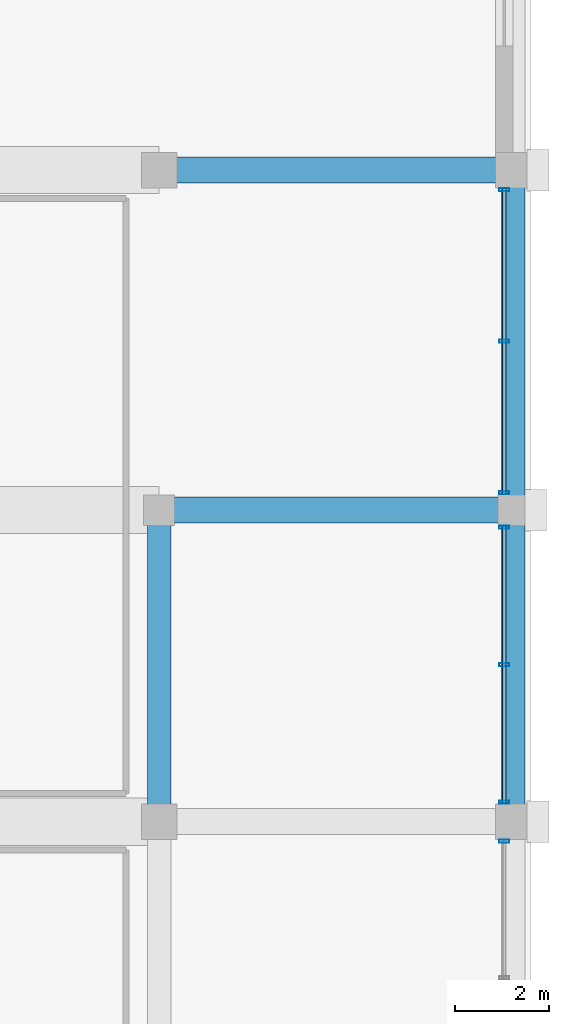
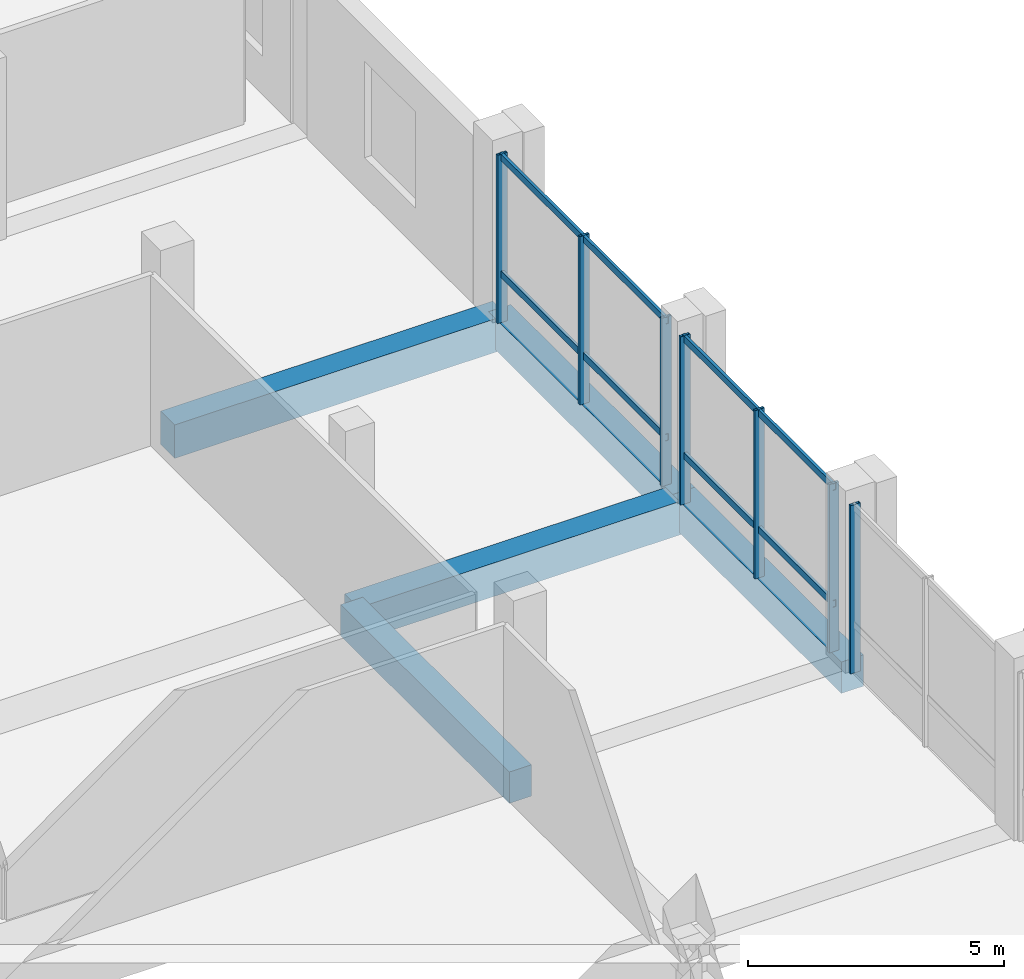
# One storey, part 35 of 64: 11 members, 5 beams, 3 elements without a shape of their own.
"""IFC4 building model written with IfcOpenShell, lengths in metres."""

from ifc_helpers import new_model, si_unit, direction, frame, origin, origin_2d, place, context, subcontext, project, spatial, rectangle, hollow_rectangle, extrude, material, material_profile, profile_set, type_object, element, aggregate, save


model = new_model("IFC4")

# Units and contexts
model_context = context("Model", 3, precision=1e-05, world=origin(), true_north=direction((0.0, 1.0)))
body_context = subcontext(model_context, "Body", "Model", "MODEL_VIEW")
ifc_project = project(units=[si_unit("LENGTHUNIT", "METRE"), si_unit("AREAUNIT", "SQUARE_METRE"), si_unit("VOLUMEUNIT", "CUBIC_METRE"), si_unit("PLANEANGLEUNIT", "RADIAN"), si_unit("MASSUNIT", "GRAM", prefix="KILO")], contexts=[model_context])

# Site, building, storey
site_placement = place(None, origin())
site = spatial("IfcSite", under=ifc_project, at=site_placement, CompositionType="ELEMENT")
building_placement = place(site_placement, origin())
building = spatial("IfcBuilding", under=site, at=building_placement, Name="Akrevak Sports Hall", CompositionType="ELEMENT")
storey_placement = place(building_placement, frame((0.0, 0.0, 4.60009765625)))
storey = spatial("IfcBuildingStorey", under=building, at=storey_placement, Name="L01", CompositionType="ELEMENT", Elevation=4.60009765625)

# Curtain wall, member
ifc_material_1 = material(Name="Anodized Bronze Aluminium & Low-E Glass", Category="aluminium")
curtain_wall_type = type_object("IfcCurtainWallType", Name="ARC-CW-POD-64x44", PredefinedType="NOTDEFINED", material=ifc_material_1)
curtain_wall_1_placement = place(storey_placement, origin())
curtain_wall_1 = element("IfcCurtainWall", 1, at=curtain_wall_1_placement, inside=storey, type_object=curtain_wall_type, Name="Curtain Wall CW-L01-E07", PredefinedType="NOTDEFINED")
ifc_material_2 = material(Name="Anodized Bronze Aluminium", Category="aluminium")
ifc_material_profile_1 = material_profile(ifc_material_2, hollow_rectangle(XDim=0.06494140625, YDim=0.219970703125, WallThickness=0.00439453125, at=origin_2d()), Name="CWM 65x220", Category="aluminium")
ifc_profile_set_1 = profile_set([ifc_material_profile_1], Name="Anodized Bronze Aluminium")
member_type_1 = type_object("IfcMemberType", Name="ARC-CWM-70x160", PredefinedType="MULLION", material=ifc_profile_set_1)
member_1_placement = place(storey_placement, frame((167.81005859375, 48.18505859375, 0.0), z_axis=(0.0, 0.0, 1.0), x_axis=(0.0, 1.0, 0.0)))
member_1 = element("IfcMember", 2, at=member_1_placement, type_object=member_type_1, Name="Curtain Wall Mullion CW-L01-E07-M3", PredefinedType="MULLION", context=body_context, shape_type="SweptSolid", body=[
    extrude(hollow_rectangle(XDim=0.06494140625, YDim=0.219970703125, WallThickness=0.00439453125, at=origin_2d()), origin(), (0.0, 0.0, 1.0), 4.02001953125),
])
aggregate(curtain_wall_1, [member_1])

# Curtain wall, members
curtain_wall_2_placement = place(storey_placement, origin())
curtain_wall_2 = element("IfcCurtainWall", 3, at=curtain_wall_2_placement, inside=storey, type_object=curtain_wall_type, Name="Curtain Wall CW-L01-E08", PredefinedType="NOTDEFINED")
member_2_placement = place(storey_placement, frame((167.81005859375, 49.014892578125, 0.0), z_axis=(0.0, 0.0, 1.0), x_axis=(0.0, 1.0, 0.0)))
member_2 = element("IfcMember", 4, at=member_2_placement, type_object=member_type_1, Name="Curtain Wall Mullion CW-L01-E08-M1", PredefinedType="MULLION", context=body_context, shape_type="SweptSolid", body=[
    extrude(hollow_rectangle(XDim=0.06494140625, YDim=0.219970703125, WallThickness=0.00439453125, at=origin_2d()), origin(), (0.0, 0.0, 1.0), 4.02001953125),
])
member_3_placement = place(storey_placement, frame((167.81005859375, 51.925048828125, 0.0), z_axis=(0.0, 0.0, 1.0), x_axis=(0.0, 1.0, 0.0)))
member_3 = element("IfcMember", 5, at=member_3_placement, type_object=member_type_1, Name="Curtain Wall Mullion CW-L01-E08-M2", PredefinedType="MULLION", context=body_context, shape_type="SweptSolid", body=[
    extrude(hollow_rectangle(XDim=0.06494140625, YDim=0.219970703125, WallThickness=0.00439453125, at=origin_2d()), origin(), (0.0, 0.0, 1.0), 4.02001953125),
])
member_4_placement = place(storey_placement, frame((167.81005859375, 54.8349609375, 0.0), z_axis=(0.0, 0.0, 1.0), x_axis=(0.0, 1.0, 0.0)))
member_4 = element("IfcMember", 6, at=member_4_placement, type_object=member_type_1, Name="Curtain Wall Mullion CW-L01-E08-M3", PredefinedType="MULLION", context=body_context, shape_type="SweptSolid", body=[
    extrude(hollow_rectangle(XDim=0.06494140625, YDim=0.219970703125, WallThickness=0.00439453125, at=origin_2d()), origin(), (0.0, 0.0, 1.0), 4.02001953125),
])

curtain_wall_3_placement = place(storey_placement, origin())
curtain_wall_3 = element("IfcCurtainWall", 7, at=curtain_wall_3_placement, inside=storey, type_object=curtain_wall_type, Name="Curtain Wall CW-L01-E09", PredefinedType="NOTDEFINED")
member_5_placement = place(storey_placement, frame((167.81005859375, 55.56494140625, 0.0), z_axis=(0.0, 0.0, 1.0), x_axis=(0.0, 1.0, 0.0)))
member_5 = element("IfcMember", 8, at=member_5_placement, type_object=member_type_1, Name="Curtain Wall Mullion CW-L01-E09-M1", PredefinedType="MULLION", context=body_context, shape_type="SweptSolid", body=[
    extrude(hollow_rectangle(XDim=0.06494140625, YDim=0.219970703125, WallThickness=0.00439453125, at=origin_2d()), origin(), (0.0, 0.0, 1.0), 4.02001953125),
])
member_6_placement = place(storey_placement, frame((167.81005859375, 58.77490234375, 0.0), z_axis=(0.0, 0.0, 1.0), x_axis=(0.0, 1.0, 0.0)))
member_6 = element("IfcMember", 9, at=member_6_placement, type_object=member_type_1, Name="Curtain Wall Mullion CW-L01-E09-M2", PredefinedType="MULLION", context=body_context, shape_type="SweptSolid", body=[
    extrude(hollow_rectangle(XDim=0.06494140625, YDim=0.219970703125, WallThickness=0.00439453125, at=origin_2d()), origin(), (0.0, 0.0, 1.0), 4.02001953125),
])
member_7_placement = place(storey_placement, frame((167.81005859375, 61.985107421875, 0.0), z_axis=(0.0, 0.0, 1.0), x_axis=(0.0, 1.0, 0.0)))
member_7 = element("IfcMember", 10, at=member_7_placement, type_object=member_type_1, Name="Curtain Wall Mullion CW-L01-E09-M3", PredefinedType="MULLION", context=body_context, shape_type="SweptSolid", body=[
    extrude(hollow_rectangle(XDim=0.06494140625, YDim=0.219970703125, WallThickness=0.00439453125, at=origin_2d()), origin(), (0.0, 0.0, 1.0), 4.02001953125),
])

# Member
ifc_material_profile_2 = material_profile(ifc_material_2, hollow_rectangle(XDim=0.06494140625, YDim=0.159912109375, WallThickness=0.00390625, at=origin_2d()), Name="CWT 65x160", Category="aluminium")
ifc_profile_set_2 = profile_set([ifc_material_profile_2], Name="Anodized Bronze Aluminium")
member_type_2 = type_object("IfcMemberType", Name="ARC-CWT-70x130", PredefinedType="USERDEFINED", material=ifc_profile_set_2)
member_8_placement = place(storey_placement, frame((167.81005859375, 48.97509765625, 1.14990234375), z_axis=(0.0, 1.0, 0.0), x_axis=(-1.0, 0.0, 0.0)))
member_8 = element("IfcMember", 11, at=member_8_placement, type_object=member_type_2, Name="Curtain Wall Transom CW-L01-E08-T1", ObjectType="TRANSOM", PredefinedType="USERDEFINED", context=body_context, shape_type="SweptSolid", body=[
    extrude(hollow_rectangle(XDim=0.06494140625, YDim=0.159912109375, WallThickness=0.00390625, at=origin_2d()), origin(), (0.0, 0.0, 1.0), 5.89990234375),
])

member_9_placement = place(storey_placement, frame((167.81005859375, 48.97509765625, 3.93994140625), z_axis=(0.0, 1.0, 0.0), x_axis=(-1.0, 0.0, 0.0)))
member_9 = element("IfcMember", 12, at=member_9_placement, type_object=member_type_2, Name="Curtain Wall Transom CW-L01-E08-T2", ObjectType="TRANSOM", PredefinedType="USERDEFINED", context=body_context, shape_type="SweptSolid", body=[
    extrude(hollow_rectangle(XDim=0.06494140625, YDim=0.159912109375, WallThickness=0.00390625, at=origin_2d()), origin(), (0.0, 0.0, 1.0), 5.89990234375),
])

aggregate(curtain_wall_2, [member_2, member_3, member_4, member_8, member_9])

member_10_placement = place(storey_placement, frame((167.81005859375, 55.52490234375, 1.14990234375), z_axis=(0.0, 1.0, 0.0), x_axis=(-1.0, 0.0, 0.0)))
member_10 = element("IfcMember", 13, at=member_10_placement, type_object=member_type_2, Name="Curtain Wall Transom CW-L01-E09-T1", ObjectType="TRANSOM", PredefinedType="USERDEFINED", context=body_context, shape_type="SweptSolid", body=[
    extrude(hollow_rectangle(XDim=0.06494140625, YDim=0.159912109375, WallThickness=0.00390625, at=origin_2d()), origin(), (0.0, 0.0, 1.0), 6.5),
])

member_11_placement = place(storey_placement, frame((167.81005859375, 55.52490234375, 3.93994140625), z_axis=(0.0, 1.0, 0.0), x_axis=(-1.0, 0.0, 0.0)))
member_11 = element("IfcMember", 14, at=member_11_placement, type_object=member_type_2, Name="Curtain Wall Transom CW-L01-E09-T2", ObjectType="TRANSOM", PredefinedType="USERDEFINED", context=body_context, shape_type="SweptSolid", body=[
    extrude(hollow_rectangle(XDim=0.06494140625, YDim=0.159912109375, WallThickness=0.00390625, at=origin_2d()), origin(), (0.0, 0.0, 1.0), 6.5),
])

aggregate(curtain_wall_3, [member_5, member_6, member_7, member_10, member_11])

# Beams
ifc_material_3 = material(Name="Concrete C40/50", Category="concrete")
ifc_material_profile_3 = material_profile(ifc_material_3, rectangle(XDim=0.5, YDim=0.75, at=origin_2d()), Name="BM 500x750", Category="concrete")
ifc_profile_set_3 = profile_set([ifc_material_profile_3], Name="Concrete C40/50")
beam_type_1 = type_object("IfcBeamType", Name="STR-BM-RC500x750", PredefinedType="BEAM", material=ifc_profile_set_3)
for number, where, z_axis, x_axis, name in (
    (15, (160.5, 48.60009765625, -0.375), (0.0, 1.0, 0.0), (-1.0, 0.0, 0.0), "Girder 22/H-I (L01)"),
    (16, (168.0, 48.60009765625, -0.375), (0.0, 1.0, 0.0), (-1.0, 0.0, 0.0), "Girder 23/H-I (L01)"),
):
    element("IfcBeam", number, at=place(storey_placement, frame(where, z_axis=z_axis, x_axis=x_axis)), inside=storey, type_object=beam_type_1, Name=name, PredefinedType="BEAM", context=body_context, shape_type="SweptSolid", body=[
        extrude(rectangle(XDim=0.5, YDim=0.75, at=origin_2d()), origin(), (0.0, 0.0, 1.0), 6.599853515625),
    ])
beam_placement = place(storey_placement, frame((168.0, 55.199951171875, -0.375), z_axis=(0.0, 1.0, 0.0), x_axis=(-1.0, 0.0, 0.0)))
element("IfcBeam", 17, at=beam_placement, inside=storey, type_object=beam_type_1, Name="Girder 23/I-J (L01)", PredefinedType="BEAM", context=body_context, shape_type="SweptSolid", body=[
    extrude(rectangle(XDim=0.5, YDim=0.75, at=origin_2d()), origin(), (0.0, 0.0, 1.0), 7.199951171875),
])
ifc_material_profile_4 = material_profile(ifc_material_3, rectangle(XDim=0.550048828125, YDim=0.800048828125, at=origin_2d()), Name="BM 550x800", Category="concrete")
ifc_profile_set_4 = profile_set([ifc_material_profile_4], Name="Concrete C40/50")
beam_type_2 = type_object("IfcBeamType", Name="STR-BM-RC550x800", PredefinedType="BEAM", material=ifc_profile_set_4)
for number, where, z_axis, x_axis, name in (
    (18, (160.5, 55.199951171875, -0.400146484375), (1.0, 0.0, 0.0), (0.0, 1.0, 0.0), "Girder I/22-23 (L01)"),
    (19, (160.5, 62.39990234375, -0.400146484375), (1.0, 0.0, 0.0), (0.0, 1.0, 0.0), "Girder J/22-23 (L01)"),
):
    element("IfcBeam", number, at=place(storey_placement, frame(where, z_axis=z_axis, x_axis=x_axis)), inside=storey, type_object=beam_type_2, Name=name, PredefinedType="BEAM", context=body_context, shape_type="SweptSolid", body=[
        extrude(rectangle(XDim=0.550048828125, YDim=0.800048828125, at=origin_2d()), origin(), (0.0, 0.0, 1.0), 7.5),
    ])

save(model, "model.ifc")
